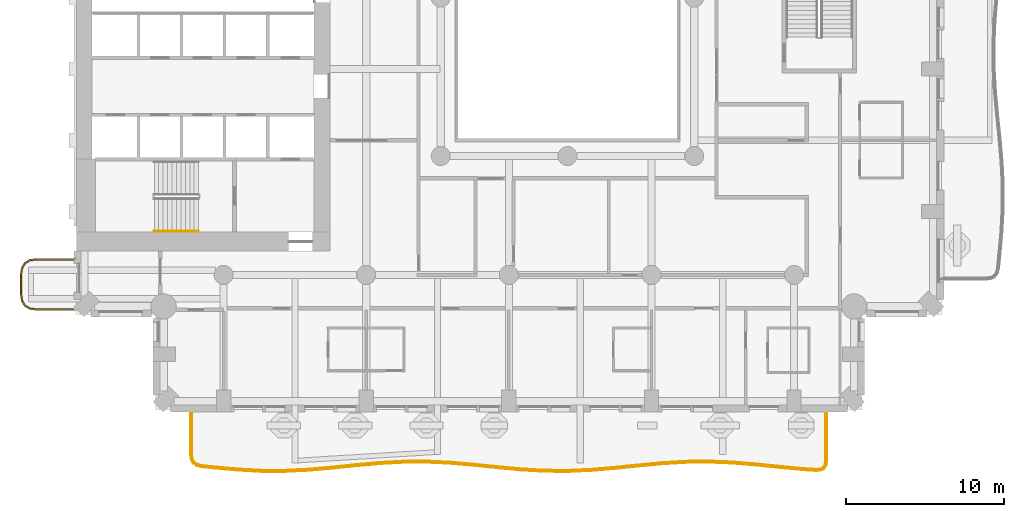
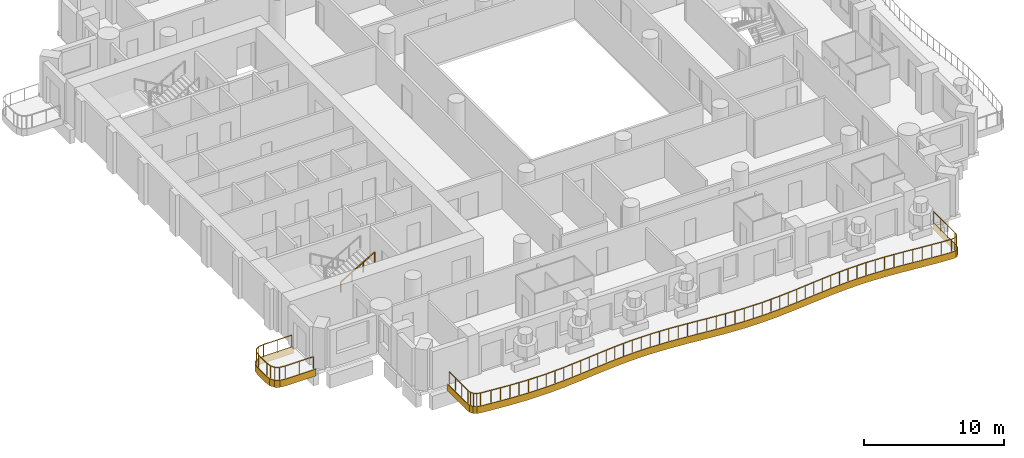
# One storey, part 12 of 19: 3 railings, 2 coverings.
"""IFC4 building model written with IfcOpenShell, lengths in metres."""

from ifc_helpers import new_model, si_unit, direction, frame, origin, origin_2d, place, context, subcontext, project, spatial, polyline, rectangle, outline, extrude, material, layer, layer_set, type_object, element, save


model = new_model("IFC4")

# Units and contexts
model_context = context("Model", 3, precision=1e-05, world=origin(), true_north=direction((0.0, 1.0)))
body_context = subcontext(model_context, "Body", "Model", "MODEL_VIEW")
ifc_project = project(units=[si_unit("LENGTHUNIT", "METRE"), si_unit("AREAUNIT", "SQUARE_METRE"), si_unit("VOLUMEUNIT", "CUBIC_METRE"), si_unit("PLANEANGLEUNIT", "RADIAN"), si_unit("MASSUNIT", "GRAM", prefix="KILO")], contexts=[model_context])

# Site, building, storey
site_placement = place(None, origin())
site = spatial("IfcSite", under=ifc_project, at=site_placement, CompositionType="ELEMENT")
building_placement = place(site_placement, origin())
building = spatial("IfcBuilding", under=site, at=building_placement, Name="Cypress Arch Tower", CompositionType="ELEMENT")
storey_placement = place(building_placement, frame((0.0, 0.0, 69.89990234375)))
storey = spatial("IfcBuildingStorey", under=building, at=storey_placement, Name="L11", CompositionType="ELEMENT", Elevation=69.89990234375)

# Coverings
ifc_material_1 = material(Name="White powder-coated aluminium fascia", Category="aluminium")
ifc_layer = layer(ifc_material_1, 0.050048828125)
ifc_layer_set = layer_set([ifc_layer], Name="Balcony fascia BF50")
covering_type = type_object("IfcCoveringType", Name="Balcony fascia BF50", PredefinedType="CLADDING", material=ifc_layer_set)
covering_1_placement = place(storey_placement, frame((0.0, 0.0, -0.599853515625)))
element("IfcCovering", 1, at=covering_1_placement, inside=storey, type_object=covering_type, Name="Balcony fascia L11-A00W1", PredefinedType="CLADDING", context=body_context, shape_type="SweptSolid", body=[
    extrude(outline(polyline([(-32.503662109375, -19.75), (-32.95458984375, -19.685546875), (-33.286376953125, -19.486328125), (-33.485595703125, -19.154541015625), (-33.550048828125, -18.70361328125), (-33.550048828125, -17.496337890625), (-33.485595703125, -17.04541015625), (-33.286376953125, -16.713623046875), (-32.95458984375, -16.514404296875), (-32.503662109375, -16.449951171875), (-30.0009765625, -16.449951171875), (-30.0009765625, -16.5), (-32.5, -16.5), (-32.9375, -16.5625), (-33.25, -16.75), (-33.4375, -17.0625), (-33.5, -17.5), (-33.5, -18.699951171875), (-33.4375, -19.137451171875), (-33.25, -19.449951171875), (-32.9375, -19.637451171875), (-32.5, -19.699951171875), (-30.0009765625, -19.699951171875), (-30.0009765625, -19.75), (-32.503662109375, -19.75)])), origin(), (0.0, 0.0, 1.0), 0.599853515625),
])
covering_2_placement = place(storey_placement, frame((0.0, 0.0, -0.599853515625)))
element("IfcCovering", 2, at=covering_2_placement, inside=storey, type_object=covering_type, Name="Balcony fascia L11-A03", PredefinedType="CLADDING", context=body_context, shape_type="SweptSolid", body=[
    extrude(outline(polyline([(17.39990234375, -29.2099609375), (17.356201171875, -29.514404296875), (17.21826171875, -29.73583984375), (16.988525390625, -29.859375), (16.68212890625, -29.8837890625), (15.86083984375, -29.83154296875), (14.374755859375, -29.689453125), (12.889892578125, -29.536865234375), (11.40625, -29.4140625), (9.92333984375, -29.353271484375), (8.440673828125, -29.370361328125), (6.95751953125, -29.460693359375), (5.473388671875, -29.600830078125), (3.988037109375, -29.75390625), (2.50146484375, -29.8798828125), (1.013916015625, -29.9453125), (-0.473876953125, -29.932861328125), (-1.961181640625, -29.84619140625), (-3.447509765625, -29.707763671875), (-4.9326171875, -29.55419921875), (-6.416259765625, -29.426025390625), (-7.899169921875, -29.356689453125), (-9.3818359375, -29.3642578125), (-10.86474609375, -29.44677734375), (-12.348876953125, -29.582763671875), (-13.834228515625, -29.736328125), (-15.320556640625, -29.867431640625), (-16.80810546875, -29.94140625), (-18.2958984375, -29.9384765625), (-19.783203125, -29.85986328125), (-21.26953125, -29.725830078125), (-22.09033203125, -29.640869140625), (-22.395263671875, -29.565673828125), (-22.62109375, -29.406005859375), (-22.75634765625, -29.1650390625), (-22.800048828125, -28.85400390625), (-22.800048828125, -26.0009765625), (-22.75, -26.0009765625), (-22.75, -28.850341796875), (-22.708251953125, -29.148681640625), (-22.5830078125, -29.37158203125), (-22.3740234375, -29.519287109375), (-22.081787109375, -29.591552734375), (-21.264892578125, -29.676025390625), (-19.779541015625, -29.809814453125), (-18.29443359375, -29.888427734375), (-16.809326171875, -29.891357421875), (-15.323974609375, -29.817626953125), (-13.8388671875, -29.6865234375), (-12.353759765625, -29.532958984375), (-10.868408203125, -29.396728515625), (-9.38330078125, -29.314208984375), (-7.898193359375, -29.306640625), (-6.412841796875, -29.376220703125), (-4.927734375, -29.504638671875), (-3.442626953125, -29.657958984375), (-1.95751953125, -29.796142578125), (-0.47216796875, -29.8828125), (1.012939453125, -29.895263671875), (2.498046875, -29.829833984375), (3.9833984375, -29.704345703125), (5.468505859375, -29.55126953125), (6.95361328125, -29.410888671875), (8.43896484375, -29.3203125), (9.924072265625, -29.30322265625), (11.4091796875, -29.3642578125), (12.89453125, -29.487060546875), (14.379638671875, -29.6396484375), (15.86474609375, -29.78173828125), (16.681640625, -29.833740234375), (16.97412109375, -29.810302734375), (17.182861328125, -29.697998046875), (17.308349609375, -29.496826171875), (17.35009765625, -29.20654296875), (17.35009765625, -26.0009765625), (17.39990234375, -26.0009765625), (17.39990234375, -29.2099609375)])), origin(), (0.0, 0.0, 1.0), 0.599853515625),
])

# Railings
ifc_material_2 = material(Name="Powder-coated steel posts and rods, 100 mm clear between rods", Category="steel")
railing_type_1 = type_object("IfcRailingType", Name="Balcony guard GR1100", PredefinedType="GUARDRAIL", material=ifc_material_2)
railing_1_placement = place(storey_placement, frame((-30.14990234375, -19.64990234375, 0.0)))
element("IfcRailing", 3, at=railing_1_placement, inside=storey, type_object=railing_type_1, Name="Balcony guard L11-A00W1", PredefinedType="GUARDRAIL", context=body_context, shape_type="SweptSolid", body=[
    extrude(rectangle(XDim=0.050048828125, YDim=0.050048828125, at=origin_2d()), frame((0.0, 0.0, 1.0751953125), z_axis=(-1.0, 0.0, 0.0), x_axis=(0.0, -1.0, 0.0)), (0.0, 0.0, 1.0), 2.346435546875),
    extrude(rectangle(XDim=0.050048828125, YDim=0.050048828125, at=origin_2d()), frame((-2.346435546875, 0.0, 1.0751953125), z_axis=(-0.989960888959, 0.141341566184, 0.0), x_axis=(-0.141341566184, -0.989960888959, 0.0)), (0.0, 0.0, 1.0), 0.428466796875),
    extrude(rectangle(XDim=0.050048828125, YDim=0.050048828125, at=origin_2d()), frame((-2.7705078125, 0.060546875, 1.0751953125), z_axis=(-0.857681904839, 0.514180659021, 0.0), x_axis=(-0.514180659021, -0.857681904839, 0.0)), (0.0, 0.0, 1.0), 0.341796875),
    extrude(rectangle(XDim=0.050048828125, YDim=0.050048828125, at=origin_2d()), frame((-3.063720703125, 0.236328125, 1.0751953125), z_axis=(-0.514180659021, 0.857681904839, 0.0), x_axis=(-0.857681904839, -0.514180659021, 0.0)), (0.0, 0.0, 1.0), 0.341796875),
    extrude(rectangle(XDim=0.050048828125, YDim=0.050048828125, at=origin_2d()), frame((-3.239501953125, 0.529541015625, 1.0751953125), z_axis=(-0.141421356237, 0.989949493661, 0.0), x_axis=(-0.989949493661, -0.141421356237, 0.0)), (0.0, 0.0, 1.0), 0.42822265625),
    extrude(rectangle(XDim=0.050048828125, YDim=0.050048828125, at=origin_2d()), frame((-3.300048828125, 0.953369140625, 1.0751953125), z_axis=(0.0, 1.0, 0.0), x_axis=(-1.0, 0.0, 0.0)), (0.0, 0.0, 1.0), 1.19287109375),
    extrude(rectangle(XDim=0.050048828125, YDim=0.050048828125, at=origin_2d()), frame((-3.300048828125, 2.146240234375, 1.0751953125), z_axis=(0.141341566184, 0.989960888959, 0.0), x_axis=(-0.989960888959, 0.141341566184, 0.0)), (0.0, 0.0, 1.0), 0.428466796875),
    extrude(rectangle(XDim=0.050048828125, YDim=0.050048828125, at=origin_2d()), frame((-3.239501953125, 2.5703125, 1.0751953125), z_axis=(0.514180659021, 0.857681904839, 0.0), x_axis=(-0.857681904839, 0.514180659021, 0.0)), (0.0, 0.0, 1.0), 0.341796875),
    extrude(rectangle(XDim=0.050048828125, YDim=0.050048828125, at=origin_2d()), frame((-3.063720703125, 2.863525390625, 1.0751953125), z_axis=(0.857681904839, 0.514180659021, 0.0), x_axis=(-0.514180659021, 0.857681904839, 0.0)), (0.0, 0.0, 1.0), 0.341796875),
    extrude(rectangle(XDim=0.050048828125, YDim=0.050048828125, at=origin_2d()), frame((-2.7705078125, 3.039306640625, 1.0751953125), z_axis=(0.989960888959, 0.141341566184, 0.0), x_axis=(-0.141341566184, 0.989960888959, 0.0)), (0.0, 0.0, 1.0), 0.428466796875),
    extrude(rectangle(XDim=0.050048828125, YDim=0.050048828125, at=origin_2d()), frame((-2.346435546875, 3.099853515625, 1.0751953125), z_axis=(1.0, 0.0, 0.0), x_axis=(0.0, 1.0, 0.0)), (0.0, 0.0, 1.0), 2.346435546875),
    extrude(rectangle(XDim=0.0400390625, YDim=0.0400390625, at=origin_2d()), origin(), (0.0, 0.0, 1.0), 1.050048828125),
    extrude(rectangle(XDim=0.0400390625, YDim=0.0400390625, at=origin_2d()), frame((-1.17333984375, 0.0, 0.0)), (0.0, 0.0, 1.0), 1.050048828125),
    extrude(rectangle(XDim=0.0400390625, YDim=0.0400390625, at=origin_2d()), frame((-2.346435546875, 0.0, 0.0)), (0.0, 0.0, 1.0), 1.050048828125),
    extrude(rectangle(XDim=0.0400390625, YDim=0.0400390625, at=origin_2d()), frame((-2.7705078125, 0.060546875, 0.0)), (0.0, 0.0, 1.0), 1.050048828125),
    extrude(rectangle(XDim=0.0400390625, YDim=0.0400390625, at=origin_2d()), frame((-3.063720703125, 0.236328125, 0.0)), (0.0, 0.0, 1.0), 1.050048828125),
    extrude(rectangle(XDim=0.0400390625, YDim=0.0400390625, at=origin_2d()), frame((-3.239501953125, 0.529541015625, 0.0)), (0.0, 0.0, 1.0), 1.050048828125),
    extrude(rectangle(XDim=0.0400390625, YDim=0.0400390625, at=origin_2d()), frame((-3.300048828125, 0.953369140625, 0.0)), (0.0, 0.0, 1.0), 1.050048828125),
    extrude(rectangle(XDim=0.0400390625, YDim=0.0400390625, at=origin_2d()), frame((-3.300048828125, 2.146240234375, 0.0)), (0.0, 0.0, 1.0), 1.050048828125),
    extrude(rectangle(XDim=0.0400390625, YDim=0.0400390625, at=origin_2d()), frame((-3.239501953125, 2.5703125, 0.0)), (0.0, 0.0, 1.0), 1.050048828125),
    extrude(rectangle(XDim=0.0400390625, YDim=0.0400390625, at=origin_2d()), frame((-3.063720703125, 2.863525390625, 0.0)), (0.0, 0.0, 1.0), 1.050048828125),
    extrude(rectangle(XDim=0.0400390625, YDim=0.0400390625, at=origin_2d()), frame((-2.7705078125, 3.039306640625, 0.0)), (0.0, 0.0, 1.0), 1.050048828125),
    extrude(rectangle(XDim=0.0400390625, YDim=0.0400390625, at=origin_2d()), frame((-2.346435546875, 3.099853515625, 0.0)), (0.0, 0.0, 1.0), 1.050048828125),
    extrude(rectangle(XDim=0.0400390625, YDim=0.0400390625, at=origin_2d()), frame((-1.17333984375, 3.099853515625, 0.0)), (0.0, 0.0, 1.0), 1.050048828125),
    extrude(rectangle(XDim=0.0400390625, YDim=0.0400390625, at=origin_2d()), frame((0.0, 3.099853515625, 0.0)), (0.0, 0.0, 1.0), 1.050048828125),
])
railing_2_placement = place(storey_placement, frame((17.300048828125, -26.14990234375, 0.0)))
element("IfcRailing", 4, at=railing_2_placement, inside=storey, type_object=railing_type_1, Name="Balcony guard L11-A03", PredefinedType="GUARDRAIL", context=body_context, shape_type="SweptSolid", body=[
    extrude(rectangle(XDim=0.050048828125, YDim=0.050048828125, at=origin_2d()), frame((0.0, 0.0, 1.0751953125), z_axis=(0.0, -1.0, 0.0), x_axis=(1.0, 0.0, 0.0)), (0.0, 0.0, 1.0), 3.052978515625),
    extrude(rectangle(XDim=0.050048828125, YDim=0.050048828125, at=origin_2d()), frame((0.0, -3.052978515625, 1.0751953125), z_axis=(-0.142522980039, -0.989791493276, 0.0), x_axis=(0.989791493276, -0.142522980039, 0.0)), (0.0, 0.0, 1.0), 0.279296875),
    extrude(rectangle(XDim=0.050048828125, YDim=0.050048828125, at=origin_2d()), frame((-0.039794921875, -3.329345703125, 1.0751953125), z_axis=(-0.528558452745, -0.848896908954, 0.0), x_axis=(0.848896908954, -0.528558452745, 0.0)), (0.0, 0.0, 1.0), 0.21337890625),
    extrude(rectangle(XDim=0.050048828125, YDim=0.050048828125, at=origin_2d()), frame((-0.152587890625, -3.510498046875, 1.0751953125), z_axis=(-0.880507863449, -0.474031541571, 0.0), x_axis=(0.474031541571, -0.880507863449, 0.0)), (0.0, 0.0, 1.0), 0.213134765625),
    extrude(rectangle(XDim=0.050048828125, YDim=0.050048828125, at=origin_2d()), frame((-0.34033203125, -3.611572265625, 1.0751953125), z_axis=(-0.99690355813, -0.078633935348, 0.0), x_axis=(0.078633935348, -0.99690355813, 0.0)), (0.0, 0.0, 1.0), 0.279541015625),
    extrude(rectangle(XDim=0.050048828125, YDim=0.050048828125, at=origin_2d()), frame((-0.618896484375, -3.633544921875, 1.0751953125), z_axis=(-0.997994966557, 0.063293338727, 0.0), x_axis=(-0.063293338727, -0.997994966557, 0.0)), (0.0, 0.0, 1.0), 0.81396484375),
    extrude(rectangle(XDim=0.050048828125, YDim=0.050048828125, at=origin_2d()), frame((-1.43115234375, -3.58203125, 1.0751953125), z_axis=(-0.995449735011, 0.095288116082, 0.0), x_axis=(-0.095288116082, -0.995449735011, 0.0)), (0.0, 0.0, 1.0), 1.4912109375),
    extrude(rectangle(XDim=0.050048828125, YDim=0.050048828125, at=origin_2d()), frame((-2.91552734375, -3.43994140625, 1.0751953125), z_axis=(-0.994764830273, 0.102190667147, 0.0), x_axis=(-0.102190667147, -0.994764830273, 0.0)), (0.0, 0.0, 1.0), 1.4931640625),
    extrude(rectangle(XDim=0.050048828125, YDim=0.050048828125, at=origin_2d()), frame((-4.40087890625, -3.287353515625, 1.0751953125), z_axis=(-0.996592996295, 0.082476661762, 0.0), x_axis=(-0.082476661762, -0.996592996295, 0.0)), (0.0, 0.0, 1.0), 1.491943359375),
    extrude(rectangle(XDim=0.050048828125, YDim=0.050048828125, at=origin_2d()), frame((-5.8876953125, -3.164306640625, 1.0751953125), z_axis=(-0.999159302548, 0.040996196559, 0.0), x_axis=(-0.040996196559, -0.999159302548, 0.0)), (0.0, 0.0, 1.0), 1.48876953125),
    extrude(rectangle(XDim=0.050048828125, YDim=0.050048828125, at=origin_2d()), frame((-7.375244140625, -3.103271484375, 1.0751953125), z_axis=(-0.999934034295, -0.011485950509, 0.0), x_axis=(0.011485950509, -0.999934034295, 0.0)), (0.0, 0.0, 1.0), 1.48779296875),
    extrude(rectangle(XDim=0.050048828125, YDim=0.050048828125, at=origin_2d()), frame((-8.863037109375, -3.120361328125, 1.0751953125), z_axis=(-0.998140201818, -0.060960130533, 0.0), x_axis=(0.060960130533, -0.998140201818, 0.0)), (0.0, 0.0, 1.0), 1.48974609375),
    extrude(rectangle(XDim=0.050048828125, YDim=0.050048828125, at=origin_2d()), frame((-10.35009765625, -3.211181640625, 1.0751953125), z_axis=(-0.995569398966, -0.094029632787, 0.0), x_axis=(0.094029632787, -0.995569398966, 0.0)), (0.0, 0.0, 1.0), 1.492919921875),
    extrude(rectangle(XDim=0.050048828125, YDim=0.050048828125, at=origin_2d()), frame((-11.83642578125, -3.3515625, 1.0751953125), z_axis=(-0.994728098151, -0.102547602358, 0.0), x_axis=(0.102547602358, -0.994728098151, 0.0)), (0.0, 0.0, 1.0), 1.49267578125),
    extrude(rectangle(XDim=0.050048828125, YDim=0.050048828125, at=origin_2d()), frame((-13.3212890625, -3.504638671875, 1.0751953125), z_axis=(-0.996443252641, -0.08426650738, 0.0), x_axis=(0.08426650738, -0.996443252641, 0.0)), (0.0, 0.0, 1.0), 1.4892578125),
    extrude(rectangle(XDim=0.050048828125, YDim=0.050048828125, at=origin_2d()), frame((-14.80517578125, -3.630126953125, 1.0751953125), z_axis=(-0.999035251481, -0.043915444871, 0.0), x_axis=(0.043915444871, -0.999035251481, 0.0)), (0.0, 0.0, 1.0), 1.484375),
    extrude(rectangle(XDim=0.050048828125, YDim=0.050048828125, at=origin_2d()), frame((-16.2880859375, -3.6953125, 1.0751953125), z_axis=(-0.999966098072, 0.008234239938, 0.0), x_axis=(-0.008234239938, -0.999966098072, 0.0)), (0.0, 0.0, 1.0), 1.482421875),
    extrude(rectangle(XDim=0.050048828125, YDim=0.050048828125, at=origin_2d()), frame((-17.7705078125, -3.68310546875, 1.0751953125), z_axis=(-0.99829696484, 0.058336695065, 0.0), x_axis=(-0.058336695065, -0.99829696484, 0.0)), (0.0, 0.0, 1.0), 1.485595703125),
    extrude(rectangle(XDim=0.050048828125, YDim=0.050048828125, at=origin_2d()), frame((-19.253662109375, -3.596435546875, 1.0751953125), z_axis=(-0.995693483988, 0.092706450393, 0.0), x_axis=(-0.092706450393, -0.995693483988, 0.0)), (0.0, 0.0, 1.0), 1.490478515625),
    extrude(rectangle(XDim=0.050048828125, YDim=0.050048828125, at=origin_2d()), frame((-20.73779296875, -3.458251953125, 1.0751953125), z_axis=(-0.99471485071, 0.10267602338, 0.0), x_axis=(-0.10267602338, -0.99471485071, 0.0)), (0.0, 0.0, 1.0), 1.4931640625),
    extrude(rectangle(XDim=0.050048828125, YDim=0.050048828125, at=origin_2d()), frame((-22.22314453125, -3.304931640625, 1.0751953125), z_axis=(-0.996275502321, 0.08622716205, 0.0), x_axis=(-0.08622716205, -0.996275502321, 0.0)), (0.0, 0.0, 1.0), 1.4921875),
    extrude(rectangle(XDim=0.050048828125, YDim=0.050048828125, at=origin_2d()), frame((-23.709716796875, -3.17626953125, 1.0751953125), z_axis=(-0.998907842086, 0.046723902018, 0.0), x_axis=(-0.046723902018, -0.998907842086, 0.0)), (0.0, 0.0, 1.0), 1.4892578125),
    extrude(rectangle(XDim=0.050048828125, YDim=0.050048828125, at=origin_2d()), frame((-25.197265625, -3.106689453125, 1.0751953125), z_axis=(-0.999987057368, -0.005087739829, 0.0), x_axis=(0.005087739829, -0.999987057368, 0.0)), (0.0, 0.0, 1.0), 1.487548828125),
    extrude(rectangle(XDim=0.050048828125, YDim=0.050048828125, at=origin_2d()), frame((-26.684814453125, -3.1142578125, 1.0751953125), z_axis=(-0.998455306121, -0.055560792642, 0.0), x_axis=(0.055560792642, -0.998455306121, 0.0)), (0.0, 0.0, 1.0), 1.489501953125),
    extrude(rectangle(XDim=0.050048828125, YDim=0.050048828125, at=origin_2d()), frame((-28.172119140625, -3.197021484375, 1.0751953125), z_axis=(-0.995827258131, -0.091258270658, 0.0), x_axis=(0.091258270658, -0.995827258131, 0.0)), (0.0, 0.0, 1.0), 1.492919921875),
    extrude(rectangle(XDim=0.050048828125, YDim=0.050048828125, at=origin_2d()), frame((-29.65869140625, -3.333251953125, 1.0751953125), z_axis=(-0.99469640988, -0.10285451945, 0.0), x_axis=(0.10285451945, -0.99469640988, 0.0)), (0.0, 0.0, 1.0), 1.492919921875),
    extrude(rectangle(XDim=0.050048828125, YDim=0.050048828125, at=origin_2d()), frame((-31.143798828125, -3.48681640625, 1.0751953125), z_axis=(-0.996132804217, -0.087860323031, 0.0), x_axis=(0.087860323031, -0.996132804217, 0.0)), (0.0, 0.0, 1.0), 1.489501953125),
    extrude(rectangle(XDim=0.050048828125, YDim=0.050048828125, at=origin_2d()), frame((-32.62744140625, -3.61767578125, 1.0751953125), z_axis=(-0.998766647298, -0.049650621808, 0.0), x_axis=(0.049650621808, -0.998766647298, 0.0)), (0.0, 0.0, 1.0), 1.485107421875),
    extrude(rectangle(XDim=0.050048828125, YDim=0.050048828125, at=origin_2d()), frame((-34.110595703125, -3.69140625, 1.0751953125), z_axis=(-0.999998359067, 0.00181159123, 0.0), x_axis=(-0.00181159123, -0.999998359067, 0.0)), (0.0, 0.0, 1.0), 1.482421875),
    extrude(rectangle(XDim=0.050048828125, YDim=0.050048828125, at=origin_2d()), frame((-35.593017578125, -3.688720703125, 1.0751953125), z_axis=(-0.998598234821, 0.052929815903, 0.0), x_axis=(-0.052929815903, -0.998598234821, 0.0)), (0.0, 0.0, 1.0), 1.4853515625),
    extrude(rectangle(XDim=0.050048828125, YDim=0.050048828125, at=origin_2d()), frame((-37.076171875, -3.610107421875, 1.0751953125), z_axis=(-0.995974731426, 0.089634448518, 0.0), x_axis=(-0.089634448518, -0.995974731426, 0.0)), (0.0, 0.0, 1.0), 1.489990234375),
    extrude(rectangle(XDim=0.050048828125, YDim=0.050048828125, at=origin_2d()), frame((-38.56005859375, -3.4765625, 1.0751953125), z_axis=(-0.994675968472, 0.103052014752, 0.0), x_axis=(-0.103052014752, -0.994675968472, 0.0)), (0.0, 0.0, 1.0), 0.8173828125),
    extrude(rectangle(XDim=0.050048828125, YDim=0.050048828125, at=origin_2d()), frame((-39.373046875, -3.392333984375, 1.0751953125), z_axis=(-0.970687622886, 0.240344625021, 0.0), x_axis=(-0.240344625021, -0.970687622886, 0.0)), (0.0, 0.0, 1.0), 0.28857421875),
    extrude(rectangle(XDim=0.050048828125, YDim=0.050048828125, at=origin_2d()), frame((-39.653076171875, -3.322998046875, 1.0751953125), z_axis=(-0.816881446664, 0.576805601652, 0.0), x_axis=(-0.576805601652, -0.816881446664, 0.0)), (0.0, 0.0, 1.0), 0.23486328125),
    extrude(rectangle(XDim=0.050048828125, YDim=0.050048828125, at=origin_2d()), frame((-39.844970703125, -3.1875, 1.0751953125), z_axis=(-0.489520892526, 0.871991568641, 0.0), x_axis=(-0.871991568641, -0.489520892526, 0.0)), (0.0, 0.0, 1.0), 0.23486328125),
    extrude(rectangle(XDim=0.050048828125, YDim=0.050048828125, at=origin_2d()), frame((-39.9599609375, -2.982666015625, 1.0751953125), z_axis=(-0.13881387359, 0.990318488416, 0.0), x_axis=(-0.990318488416, -0.13881387359, 0.0)), (0.0, 0.0, 1.0), 0.288330078125),
    extrude(rectangle(XDim=0.050048828125, YDim=0.050048828125, at=origin_2d()), frame((-40.0, -2.697021484375, 1.0751953125), z_axis=(0.0, 1.0, 0.0), x_axis=(-1.0, 0.0, 0.0)), (0.0, 0.0, 1.0), 2.697021484375),
    extrude(rectangle(XDim=0.0400390625, YDim=0.0400390625, at=origin_2d()), origin(), (0.0, 0.0, 1.0), 1.050048828125),
    extrude(rectangle(XDim=0.0400390625, YDim=0.0400390625, at=origin_2d()), frame((0.0, -1.017578125, 0.0)), (0.0, 0.0, 1.0), 1.050048828125),
    extrude(rectangle(XDim=0.0400390625, YDim=0.0400390625, at=origin_2d()), frame((0.0, -2.035400390625, 0.0)), (0.0, 0.0, 1.0), 1.050048828125),
    extrude(rectangle(XDim=0.0400390625, YDim=0.0400390625, at=origin_2d()), frame((0.0, -3.052978515625, 0.0)), (0.0, 0.0, 1.0), 1.050048828125),
    extrude(rectangle(XDim=0.0400390625, YDim=0.0400390625, at=origin_2d()), frame((-0.039794921875, -3.329345703125, 0.0)), (0.0, 0.0, 1.0), 1.050048828125),
    extrude(rectangle(XDim=0.0400390625, YDim=0.0400390625, at=origin_2d()), frame((-0.152587890625, -3.510498046875, 0.0)), (0.0, 0.0, 1.0), 1.050048828125),
    extrude(rectangle(XDim=0.0400390625, YDim=0.0400390625, at=origin_2d()), frame((-0.34033203125, -3.611572265625, 0.0)), (0.0, 0.0, 1.0), 1.050048828125),
    extrude(rectangle(XDim=0.0400390625, YDim=0.0400390625, at=origin_2d()), frame((-0.618896484375, -3.633544921875, 0.0)), (0.0, 0.0, 1.0), 1.050048828125),
    extrude(rectangle(XDim=0.0400390625, YDim=0.0400390625, at=origin_2d()), frame((-1.43115234375, -3.58203125, 0.0)), (0.0, 0.0, 1.0), 1.050048828125),
    extrude(rectangle(XDim=0.0400390625, YDim=0.0400390625, at=origin_2d()), frame((-2.17333984375, -3.510986328125, 0.0)), (0.0, 0.0, 1.0), 1.050048828125),
    extrude(rectangle(XDim=0.0400390625, YDim=0.0400390625, at=origin_2d()), frame((-2.91552734375, -3.43994140625, 0.0)), (0.0, 0.0, 1.0), 1.050048828125),
    extrude(rectangle(XDim=0.0400390625, YDim=0.0400390625, at=origin_2d()), frame((-3.658203125, -3.36376953125, 0.0)), (0.0, 0.0, 1.0), 1.050048828125),
    extrude(rectangle(XDim=0.0400390625, YDim=0.0400390625, at=origin_2d()), frame((-4.40087890625, -3.287353515625, 0.0)), (0.0, 0.0, 1.0), 1.050048828125),
    extrude(rectangle(XDim=0.0400390625, YDim=0.0400390625, at=origin_2d()), frame((-5.144287109375, -3.225830078125, 0.0)), (0.0, 0.0, 1.0), 1.050048828125),
    extrude(rectangle(XDim=0.0400390625, YDim=0.0400390625, at=origin_2d()), frame((-5.8876953125, -3.164306640625, 0.0)), (0.0, 0.0, 1.0), 1.050048828125),
    extrude(rectangle(XDim=0.0400390625, YDim=0.0400390625, at=origin_2d()), frame((-6.63134765625, -3.1337890625, 0.0)), (0.0, 0.0, 1.0), 1.050048828125),
    extrude(rectangle(XDim=0.0400390625, YDim=0.0400390625, at=origin_2d()), frame((-7.375244140625, -3.103271484375, 0.0)), (0.0, 0.0, 1.0), 1.050048828125),
    extrude(rectangle(XDim=0.0400390625, YDim=0.0400390625, at=origin_2d()), frame((-8.119140625, -3.11181640625, 0.0)), (0.0, 0.0, 1.0), 1.050048828125),
    extrude(rectangle(XDim=0.0400390625, YDim=0.0400390625, at=origin_2d()), frame((-8.863037109375, -3.120361328125, 0.0)), (0.0, 0.0, 1.0), 1.050048828125),
    extrude(rectangle(XDim=0.0400390625, YDim=0.0400390625, at=origin_2d()), frame((-9.6064453125, -3.165771484375, 0.0)), (0.0, 0.0, 1.0), 1.050048828125),
    extrude(rectangle(XDim=0.0400390625, YDim=0.0400390625, at=origin_2d()), frame((-10.35009765625, -3.211181640625, 0.0)), (0.0, 0.0, 1.0), 1.050048828125),
    extrude(rectangle(XDim=0.0400390625, YDim=0.0400390625, at=origin_2d()), frame((-11.09326171875, -3.28125, 0.0)), (0.0, 0.0, 1.0), 1.050048828125),
    extrude(rectangle(XDim=0.0400390625, YDim=0.0400390625, at=origin_2d()), frame((-11.83642578125, -3.3515625, 0.0)), (0.0, 0.0, 1.0), 1.050048828125),
    extrude(rectangle(XDim=0.0400390625, YDim=0.0400390625, at=origin_2d()), frame((-12.578857421875, -3.42822265625, 0.0)), (0.0, 0.0, 1.0), 1.050048828125),
    extrude(rectangle(XDim=0.0400390625, YDim=0.0400390625, at=origin_2d()), frame((-13.3212890625, -3.504638671875, 0.0)), (0.0, 0.0, 1.0), 1.050048828125),
    extrude(rectangle(XDim=0.0400390625, YDim=0.0400390625, at=origin_2d()), frame((-14.063232421875, -3.5673828125, 0.0)), (0.0, 0.0, 1.0), 1.050048828125),
    extrude(rectangle(XDim=0.0400390625, YDim=0.0400390625, at=origin_2d()), frame((-14.80517578125, -3.630126953125, 0.0)), (0.0, 0.0, 1.0), 1.050048828125),
    extrude(rectangle(XDim=0.0400390625, YDim=0.0400390625, at=origin_2d()), frame((-15.546630859375, -3.66259765625, 0.0)), (0.0, 0.0, 1.0), 1.050048828125),
    extrude(rectangle(XDim=0.0400390625, YDim=0.0400390625, at=origin_2d()), frame((-16.2880859375, -3.6953125, 0.0)), (0.0, 0.0, 1.0), 1.050048828125),
    extrude(rectangle(XDim=0.0400390625, YDim=0.0400390625, at=origin_2d()), frame((-17.029296875, -3.689208984375, 0.0)), (0.0, 0.0, 1.0), 1.050048828125),
    extrude(rectangle(XDim=0.0400390625, YDim=0.0400390625, at=origin_2d()), frame((-17.7705078125, -3.68310546875, 0.0)), (0.0, 0.0, 1.0), 1.050048828125),
    extrude(rectangle(XDim=0.0400390625, YDim=0.0400390625, at=origin_2d()), frame((-18.51220703125, -3.6396484375, 0.0)), (0.0, 0.0, 1.0), 1.050048828125),
    extrude(rectangle(XDim=0.0400390625, YDim=0.0400390625, at=origin_2d()), frame((-19.253662109375, -3.596435546875, 0.0)), (0.0, 0.0, 1.0), 1.050048828125),
    extrude(rectangle(XDim=0.0400390625, YDim=0.0400390625, at=origin_2d()), frame((-19.99560546875, -3.52734375, 0.0)), (0.0, 0.0, 1.0), 1.050048828125),
    extrude(rectangle(XDim=0.0400390625, YDim=0.0400390625, at=origin_2d()), frame((-20.73779296875, -3.458251953125, 0.0)), (0.0, 0.0, 1.0), 1.050048828125),
    extrude(rectangle(XDim=0.0400390625, YDim=0.0400390625, at=origin_2d()), frame((-21.48046875, -3.381591796875, 0.0)), (0.0, 0.0, 1.0), 1.050048828125),
    extrude(rectangle(XDim=0.0400390625, YDim=0.0400390625, at=origin_2d()), frame((-22.22314453125, -3.304931640625, 0.0)), (0.0, 0.0, 1.0), 1.050048828125),
    extrude(rectangle(XDim=0.0400390625, YDim=0.0400390625, at=origin_2d()), frame((-22.96630859375, -3.24072265625, 0.0)), (0.0, 0.0, 1.0), 1.050048828125),
    extrude(rectangle(XDim=0.0400390625, YDim=0.0400390625, at=origin_2d()), frame((-23.709716796875, -3.17626953125, 0.0)), (0.0, 0.0, 1.0), 1.050048828125),
    extrude(rectangle(XDim=0.0400390625, YDim=0.0400390625, at=origin_2d()), frame((-24.45361328125, -3.1416015625, 0.0)), (0.0, 0.0, 1.0), 1.050048828125),
    extrude(rectangle(XDim=0.0400390625, YDim=0.0400390625, at=origin_2d()), frame((-25.197265625, -3.106689453125, 0.0)), (0.0, 0.0, 1.0), 1.050048828125),
    extrude(rectangle(XDim=0.0400390625, YDim=0.0400390625, at=origin_2d()), frame((-25.94091796875, -3.1103515625, 0.0)), (0.0, 0.0, 1.0), 1.050048828125),
    extrude(rectangle(XDim=0.0400390625, YDim=0.0400390625, at=origin_2d()), frame((-26.684814453125, -3.1142578125, 0.0)), (0.0, 0.0, 1.0), 1.050048828125),
    extrude(rectangle(XDim=0.0400390625, YDim=0.0400390625, at=origin_2d()), frame((-27.428466796875, -3.15576171875, 0.0)), (0.0, 0.0, 1.0), 1.050048828125),
    extrude(rectangle(XDim=0.0400390625, YDim=0.0400390625, at=origin_2d()), frame((-28.172119140625, -3.197021484375, 0.0)), (0.0, 0.0, 1.0), 1.050048828125),
    extrude(rectangle(XDim=0.0400390625, YDim=0.0400390625, at=origin_2d()), frame((-28.91552734375, -3.26513671875, 0.0)), (0.0, 0.0, 1.0), 1.050048828125),
    extrude(rectangle(XDim=0.0400390625, YDim=0.0400390625, at=origin_2d()), frame((-29.65869140625, -3.333251953125, 0.0)), (0.0, 0.0, 1.0), 1.050048828125),
    extrude(rectangle(XDim=0.0400390625, YDim=0.0400390625, at=origin_2d()), frame((-30.4013671875, -3.41015625, 0.0)), (0.0, 0.0, 1.0), 1.050048828125),
    extrude(rectangle(XDim=0.0400390625, YDim=0.0400390625, at=origin_2d()), frame((-31.143798828125, -3.48681640625, 0.0)), (0.0, 0.0, 1.0), 1.050048828125),
    extrude(rectangle(XDim=0.0400390625, YDim=0.0400390625, at=origin_2d()), frame((-31.8857421875, -3.55224609375, 0.0)), (0.0, 0.0, 1.0), 1.050048828125),
    extrude(rectangle(XDim=0.0400390625, YDim=0.0400390625, at=origin_2d()), frame((-32.62744140625, -3.61767578125, 0.0)), (0.0, 0.0, 1.0), 1.050048828125),
    extrude(rectangle(XDim=0.0400390625, YDim=0.0400390625, at=origin_2d()), frame((-33.369140625, -3.654541015625, 0.0)), (0.0, 0.0, 1.0), 1.050048828125),
    extrude(rectangle(XDim=0.0400390625, YDim=0.0400390625, at=origin_2d()), frame((-34.110595703125, -3.69140625, 0.0)), (0.0, 0.0, 1.0), 1.050048828125),
    extrude(rectangle(XDim=0.0400390625, YDim=0.0400390625, at=origin_2d()), frame((-34.851806640625, -3.68994140625, 0.0)), (0.0, 0.0, 1.0), 1.050048828125),
    extrude(rectangle(XDim=0.0400390625, YDim=0.0400390625, at=origin_2d()), frame((-35.593017578125, -3.688720703125, 0.0)), (0.0, 0.0, 1.0), 1.050048828125),
    extrude(rectangle(XDim=0.0400390625, YDim=0.0400390625, at=origin_2d()), frame((-36.33447265625, -3.6494140625, 0.0)), (0.0, 0.0, 1.0), 1.050048828125),
    extrude(rectangle(XDim=0.0400390625, YDim=0.0400390625, at=origin_2d()), frame((-37.076171875, -3.610107421875, 0.0)), (0.0, 0.0, 1.0), 1.050048828125),
    extrude(rectangle(XDim=0.0400390625, YDim=0.0400390625, at=origin_2d()), frame((-37.818115234375, -3.54345703125, 0.0)), (0.0, 0.0, 1.0), 1.050048828125),
    extrude(rectangle(XDim=0.0400390625, YDim=0.0400390625, at=origin_2d()), frame((-38.56005859375, -3.4765625, 0.0)), (0.0, 0.0, 1.0), 1.050048828125),
    extrude(rectangle(XDim=0.0400390625, YDim=0.0400390625, at=origin_2d()), frame((-39.373046875, -3.392333984375, 0.0)), (0.0, 0.0, 1.0), 1.050048828125),
    extrude(rectangle(XDim=0.0400390625, YDim=0.0400390625, at=origin_2d()), frame((-39.653076171875, -3.322998046875, 0.0)), (0.0, 0.0, 1.0), 1.050048828125),
    extrude(rectangle(XDim=0.0400390625, YDim=0.0400390625, at=origin_2d()), frame((-39.844970703125, -3.1875, 0.0)), (0.0, 0.0, 1.0), 1.050048828125),
    extrude(rectangle(XDim=0.0400390625, YDim=0.0400390625, at=origin_2d()), frame((-39.9599609375, -2.982666015625, 0.0)), (0.0, 0.0, 1.0), 1.050048828125),
    extrude(rectangle(XDim=0.0400390625, YDim=0.0400390625, at=origin_2d()), frame((-40.0, -2.697021484375, 0.0)), (0.0, 0.0, 1.0), 1.050048828125),
    extrude(rectangle(XDim=0.0400390625, YDim=0.0400390625, at=origin_2d()), frame((-40.0, -1.798095703125, 0.0)), (0.0, 0.0, 1.0), 1.050048828125),
    extrude(rectangle(XDim=0.0400390625, YDim=0.0400390625, at=origin_2d()), frame((-40.0, -0.89892578125, 0.0)), (0.0, 0.0, 1.0), 1.050048828125),
    extrude(rectangle(XDim=0.0400390625, YDim=0.0400390625, at=origin_2d()), frame((-40.0, 0.0, 0.0)), (0.0, 0.0, 1.0), 1.050048828125),
])
ifc_material_3 = material(Name="Black powder-coated steel square bar 48 mm", Category="steel")
railing_type_2 = type_object("IfcRailingType", Name="Stair handrail HR1", PredefinedType="HANDRAIL", material=ifc_material_3)
railing_3_placement = place(storey_placement, frame((-25.074951171875, -14.75, 1.963623046875)))
element("IfcRailing", 5, at=railing_3_placement, inside=storey, type_object=railing_type_2, Name="L11 A stair handrail 2", PredefinedType="HANDRAIL", context=body_context, shape_type="SweptSolid", body=[
    extrude(rectangle(XDim=0.048095703125, YDim=0.048095703125, at=origin_2d()), frame((0.0, 0.0, 0.8759765625), z_axis=(0.863360870873, 0.0, 0.504586966384), x_axis=(0.0, 1.0, 0.0)), (0.0, 0.0, 1.0), 3.2431640625),
    extrude(rectangle(XDim=0.0419921875, YDim=0.0419921875, at=origin_2d()), origin(), (0.0, 0.0, 1.0), 0.851806640625),
    extrude(rectangle(XDim=0.0419921875, YDim=0.0419921875, at=origin_2d()), frame((0.933349609375, 0.0, 0.54541015625)), (0.0, 0.0, 1.0), 0.851806640625),
    extrude(rectangle(XDim=0.0419921875, YDim=0.0419921875, at=origin_2d()), frame((1.86669921875, 0.0, 1.091064453125)), (0.0, 0.0, 1.0), 0.851806640625),
    extrude(rectangle(XDim=0.0419921875, YDim=0.0419921875, at=origin_2d()), frame((2.800048828125, 0.0, 1.636474609375)), (0.0, 0.0, 1.0), 0.851806640625),
])

save(model, "model.ifc")
